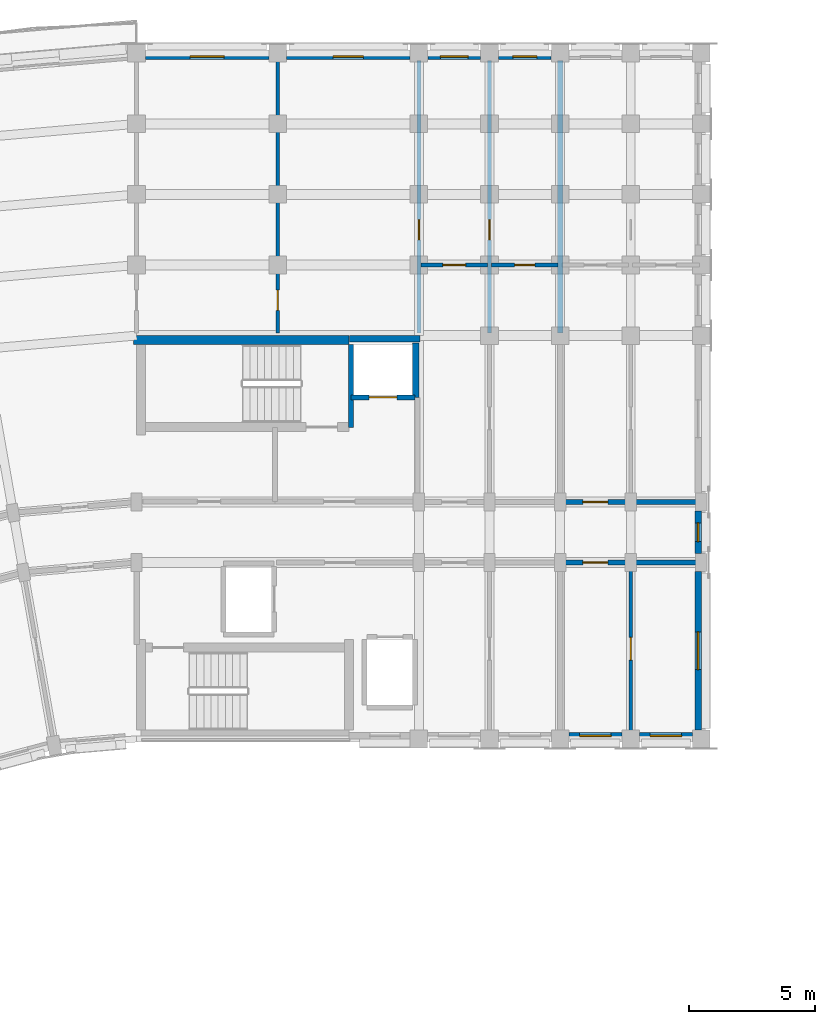
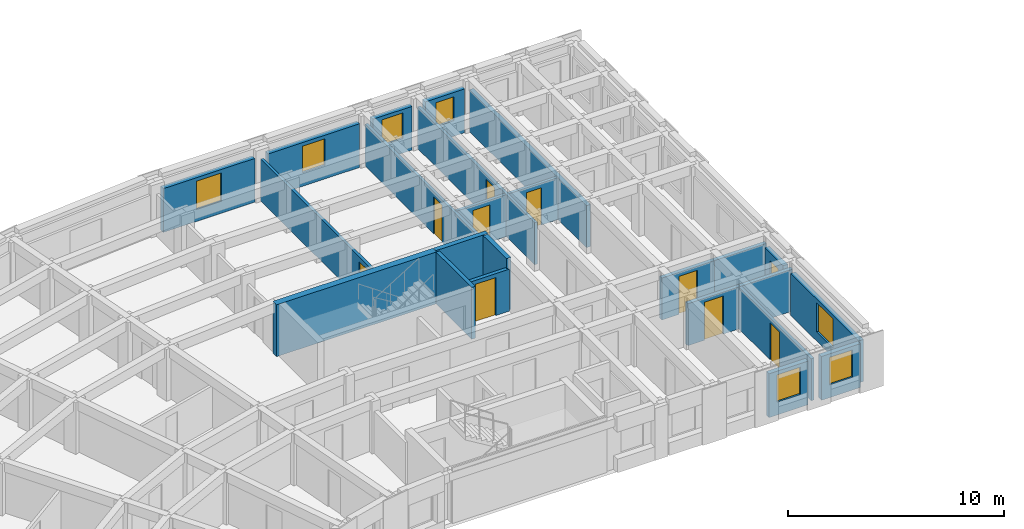
# One storey, part 29 of 57: 24 walls, 9 doors, 8 windows, 17 openings.
"""IFC4 building model written with IfcOpenShell, lengths in metres."""

from ifc_helpers import new_model, si_unit, direction, frame, frame_2d, origin, place, context, subcontext, project, spatial, rectangle, extrude, material, layer, layer_set, type_object, element, fill, save


model = new_model("IFC4")

# Units and contexts
model_context = context("Model", 3, precision=1e-05, world=origin(), true_north=direction((0.0, 1.0)))
body_context = subcontext(model_context, "Body", "Model", "MODEL_VIEW")
ifc_project = project(units=[si_unit("LENGTHUNIT", "METRE"), si_unit("AREAUNIT", "SQUARE_METRE"), si_unit("VOLUMEUNIT", "CUBIC_METRE"), si_unit("PLANEANGLEUNIT", "RADIAN"), si_unit("MASSUNIT", "GRAM", prefix="KILO")], contexts=[model_context])

# Site, building, storey
site_placement = place(None, origin())
site = spatial("IfcSite", under=ifc_project, at=site_placement, CompositionType="ELEMENT")
building_placement = place(site_placement, origin())
building = spatial("IfcBuilding", under=site, at=building_placement, Name="Kiranvali Square Residences", CompositionType="ELEMENT")
storey_placement = place(building_placement, frame((0.0, 0.0, 24.449951171875)))
storey = spatial("IfcBuildingStorey", under=building, at=storey_placement, Name="L07", CompositionType="ELEMENT", Elevation=24.449951171875)

# Wall, opening, door
ifc_material_1 = material(Name="Autoclaved aerated concrete blockwork masonry", Category="masonry")
ifc_layer_1 = layer(ifc_material_1, 0.199951171875)
ifc_layer_set_1 = layer_set([ifc_layer_1], Name="Autoclaved aerated concrete blockwork masonry")
wall_type_1 = type_object("IfcWallType", Name="WL-COR-200", PredefinedType="STANDARD", material=ifc_layer_set_1)
wall_1_placement = place(storey_placement, frame((65.0, 113.60009765625, 0.0), z_axis=(0.0, 0.0, 1.0), x_axis=(1.0, 0.0, 0.0)))
wall_1 = element("IfcWall", 1, at=wall_1_placement, inside=storey, type_object=wall_type_1, Name="L07 architectural wall WL-L07-A-A1CI-2", PredefinedType="STANDARD", context=body_context, shape_type="SweptSolid", body=[
    extrude(rectangle(XDim=2.800048828125, YDim=0.199951171875, at=frame_2d((1.39990234375, 0.0))), origin(), (0.0, 0.0, 1.0), 2.3720703125),
])
opening_1_placement = place(wall_1_placement, frame((0.89990234375, 0.0, 0.0)))
opening_1 = element("IfcOpeningElement", 2, at=opening_1_placement, cuts=wall_1, Name="Opening FD-APT-60", PredefinedType="OPENING", context=body_context, shape_type="SweptSolid", body=[
    extrude(rectangle(XDim=1.0, YDim=2.14990234375, at=frame_2d((0.5, 1.074951171875))), frame((0.0, 0.10986328125, 0.0), z_axis=(0.0, -1.0, 0.0), x_axis=(1.0, 0.0, 0.0)), (0.0, 0.0, 1.0), 0.219970703125),
])
ifc_material_2 = material(Name="Fire-rated acoustic hardwood and mineral-core door assembly", Category="wood")
door_type_1 = type_object("IfcDoorType", Name="DR-APT-1000", OperationType="NOTDEFINED", PredefinedType="DOOR", material=ifc_material_2)
door_1_placement = place(opening_1_placement, origin())
door_1 = element("IfcDoor", 3, at=door_1_placement, inside=storey, type_object=door_type_1, Name="L07 door DR-L07-0467 (DR-APT-1000)", OperationType="SINGLE_SWING_LEFT", OverallHeight=2.14990234375, OverallWidth=1.0, PredefinedType="DOOR", context=body_context, shape_type="SweptSolid", body=[
    extrude(rectangle(XDim=1.0, YDim=2.14990234375, at=frame_2d((0.5, 1.074951171875))), frame((0.0, 0.02490234375, 0.0), z_axis=(0.0, -1.0, 0.0), x_axis=(1.0, 0.0, 0.0)), (0.0, 0.0, 1.0), 0.050048828125),
])
fill(opening_1, door_1)

wall_2_placement = place(storey_placement, frame((65.0, 116.0, 0.0), z_axis=(0.0, 0.0, 1.0), x_axis=(1.0, 0.0, 0.0)))
wall_2 = element("IfcWall", 4, at=wall_2_placement, inside=storey, type_object=wall_type_1, Name="L07 architectural wall WL-L07-A-A1CO-2", PredefinedType="STANDARD", context=body_context, shape_type="SweptSolid", body=[
    extrude(rectangle(XDim=2.800048828125, YDim=0.199951171875, at=frame_2d((1.39990234375, 0.0))), origin(), (0.0, 0.0, 1.0), 2.3720703125),
])
opening_2_placement = place(wall_2_placement, frame((0.89990234375, 0.0, 0.0)))
opening_2 = element("IfcOpeningElement", 5, at=opening_2_placement, cuts=wall_2, Name="Opening FD-APT-60", PredefinedType="OPENING", context=body_context, shape_type="SweptSolid", body=[
    extrude(rectangle(XDim=1.0, YDim=2.14990234375, at=frame_2d((0.5, 1.074951171875))), frame((0.0, 0.10986328125, 0.0), z_axis=(0.0, -1.0, 0.0), x_axis=(1.0, 0.0, 0.0)), (0.0, 0.0, 1.0), 0.219970703125),
])
door_2_placement = place(opening_2_placement, origin())
door_2 = element("IfcDoor", 6, at=door_2_placement, inside=storey, type_object=door_type_1, Name="L07 door DR-L07-0469 (DR-APT-1000)", OperationType="SINGLE_SWING_LEFT", OverallHeight=2.14990234375, OverallWidth=1.0, PredefinedType="DOOR", context=body_context, shape_type="SweptSolid", body=[
    extrude(rectangle(XDim=1.0, YDim=2.14990234375, at=frame_2d((0.5, 1.074951171875))), frame((0.0, 0.02490234375, 0.0), z_axis=(0.0, -1.0, 0.0), x_axis=(1.0, 0.0, 0.0)), (0.0, 0.0, 1.0), 0.050048828125),
])
fill(opening_2, door_2)

# Walls
for number, where, z_axis, x_axis, name in (
    (7, (67.800048828125, 113.60009765625, 0.0), (0.0, 0.0, 1.0), (1.0, 0.0, 0.0), "L07 architectural wall WL-L07-A-A1CI-3"),
    (8, (67.800048828125, 116.0, 0.0), (0.0, 0.0, 1.0), (1.0, 0.0, 0.0), "L07 architectural wall WL-L07-A-A1CO-3"),
):
    element("IfcWall", number, at=place(storey_placement, frame(where, z_axis=z_axis, x_axis=x_axis)), inside=storey, type_object=wall_type_1, Name=name, PredefinedType="STANDARD", context=body_context, shape_type="SweptSolid", body=[
        extrude(rectangle(XDim=2.800048828125, YDim=0.199951171875, at=frame_2d((1.39990234375, 0.0))), origin(), (0.0, 0.0, 1.0), 2.3720703125),
    ])
ifc_layer_2 = layer(ifc_material_1, 0.219970703125)
ifc_layer_set_2 = layer_set([ifc_layer_2], Name="Autoclaved aerated concrete blockwork masonry")
wall_type_2 = type_object("IfcWallType", Name="WL-DEM-220", PredefinedType="STANDARD", material=ifc_layer_set_2)
wall_3_placement = place(storey_placement, frame((65.0, 122.699951171875, 0.0), z_axis=(0.0, 0.0, 1.0), x_axis=(0.0, 1.0, 0.0)))
element("IfcWall", 9, at=wall_3_placement, inside=storey, type_object=wall_type_2, Name="L07 architectural wall WL-L07-A-A1TO2-2", PredefinedType="STANDARD", context=body_context, shape_type="SweptSolid", body=[
    extrude(rectangle(XDim=10.820068359375, YDim=0.219970703125, at=frame_2d((5.41015625, 0.0))), origin(), (0.0, 0.0, 1.0), 2.3720703125),
])

# Wall, opening, window
ifc_material_3 = material(Name="Breathable lime-rendered clay brick masonry", Category="masonry")
ifc_layer_3 = layer(ifc_material_3, 0.25)
ifc_layer_set_3 = layer_set([ifc_layer_3], Name="Breathable lime-rendered clay brick masonry")
wall_type_3 = type_object("IfcWallType", Name="WL-EXT-250", PredefinedType="STANDARD", material=ifc_layer_set_3)
wall_4_placement = place(storey_placement, frame((48.553466796875, 133.675048828125, 0.0), z_axis=(0.0, 0.0, 1.0), x_axis=(1.0, 0.0, 0.0)))
wall_4 = element("IfcWall", 10, at=wall_4_placement, inside=storey, type_object=wall_type_3, Name="L07 exterior wall A-L07-A1O-0", PredefinedType="STANDARD", context=body_context, shape_type="SweptSolid", body=[
    extrude(rectangle(XDim=4.89306640625, YDim=0.25, at=frame_2d((2.446533203125, 0.0))), origin(), (0.0, 0.0, 1.0), 2.47216796875),
])
opening_3_placement = place(wall_4_placement, frame((1.771484375, 0.0, 0.672119140625)))
opening_3 = element("IfcOpeningElement", 11, at=opening_3_placement, cuts=wall_4, Name="Opening W-14", PredefinedType="OPENING", context=body_context, shape_type="SweptSolid", body=[
    extrude(rectangle(XDim=1.35009765625, YDim=1.60009765625, at=frame_2d((0.675048828125, 0.800048828125))), frame((0.0, 0.135009765625, 0.0), z_axis=(0.0, -1.0, 0.0), x_axis=(1.0, 0.0, 0.0)), (0.0, 0.0, 1.0), 0.27001953125),
])
ifc_material_4 = material(Name="Solar-control low-e double glazing", Category="glass")
window_type_1 = type_object("IfcWindowType", Name="WIN-RES-1350x1600", PartitioningType="DOUBLE_PANEL_VERTICAL", PredefinedType="WINDOW", material=ifc_material_4)
window_1_placement = place(opening_3_placement, origin())
window_1 = element("IfcWindow", 12, at=window_1_placement, inside=storey, type_object=window_type_1, Name="L07 recessed window A-L07-A1O-0", OverallHeight=1.60009765625, OverallWidth=1.35009765625, PartitioningType="DOUBLE_PANEL_VERTICAL", PredefinedType="WINDOW", context=body_context, shape_type="SweptSolid", body=[
    extrude(rectangle(XDim=1.35009765625, YDim=1.60009765625, at=frame_2d((0.675048828125, 0.800048828125))), frame((0.0, 0.030029296875, 0.0), z_axis=(0.0, -1.0, 0.0), x_axis=(1.0, 0.0, 0.0)), (0.0, 0.0, 1.0), 0.06005859375),
])
fill(opening_3, window_1)

wall_5_placement = place(storey_placement, frame((54.153564453125, 133.675048828125, 0.0), z_axis=(0.0, 0.0, 1.0), x_axis=(1.0, 0.0, 0.0)))
wall_5 = element("IfcWall", 13, at=wall_5_placement, inside=storey, type_object=wall_type_3, Name="L07 exterior wall A-L07-A1O-1", PredefinedType="STANDARD", context=body_context, shape_type="SweptSolid", body=[
    extrude(rectangle(XDim=4.892822265625, YDim=0.25, at=frame_2d((2.4462890625, 0.0))), origin(), (0.0, 0.0, 1.0), 2.47216796875),
])
opening_4_placement = place(wall_5_placement, frame((1.846435546875, 0.0, 0.77197265625)))
opening_4 = element("IfcOpeningElement", 14, at=opening_4_placement, cuts=wall_5, Name="Opening W-06", PredefinedType="OPENING", context=body_context, shape_type="SweptSolid", body=[
    extrude(rectangle(XDim=1.199951171875, YDim=1.5, at=frame_2d((0.60009765625, 0.75))), frame((0.0, 0.135009765625, 0.0), z_axis=(0.0, -1.0, 0.0), x_axis=(1.0, 0.0, 0.0)), (0.0, 0.0, 1.0), 0.27001953125),
])
window_type_2 = type_object("IfcWindowType", Name="WIN-RES-1200x1500", PartitioningType="SINGLE_PANEL", PredefinedType="WINDOW", material=ifc_material_4)
window_2_placement = place(opening_4_placement, origin())
window_2 = element("IfcWindow", 15, at=window_2_placement, inside=storey, type_object=window_type_2, Name="L07 recessed window A-L07-A1O-1", OverallHeight=1.5, OverallWidth=1.199951171875, PartitioningType="SINGLE_PANEL", PredefinedType="WINDOW", context=body_context, shape_type="SweptSolid", body=[
    extrude(rectangle(XDim=1.199951171875, YDim=1.5, at=frame_2d((0.60009765625, 0.75))), frame((0.0, 0.030029296875, 0.0), z_axis=(0.0, -1.0, 0.0), x_axis=(1.0, 0.0, 0.0)), (0.0, 0.0, 1.0), 0.06005859375),
])
fill(opening_4, window_2)

wall_6_placement = place(storey_placement, frame((59.75341796875, 133.675048828125, 0.0), z_axis=(0.0, 0.0, 1.0), x_axis=(1.0, 0.0, 0.0)))
wall_6 = element("IfcWall", 16, at=wall_6_placement, inside=storey, type_object=wall_type_3, Name="L07 exterior wall A-L07-A1O-2", PredefinedType="STANDARD", context=body_context, shape_type="SweptSolid", body=[
    extrude(rectangle(XDim=2.093017578125, YDim=0.25, at=frame_2d((1.04638671875, 0.0))), origin(), (0.0, 0.0, 1.0), 2.47216796875),
])
opening_5_placement = place(wall_6_placement, frame((0.49658203125, 0.0, 0.822021484375)))
opening_5 = element("IfcOpeningElement", 17, at=opening_5_placement, cuts=wall_6, Name="Opening W-15", PredefinedType="OPENING", context=body_context, shape_type="SweptSolid", body=[
    extrude(rectangle(XDim=1.10009765625, YDim=1.449951171875, at=frame_2d((0.550048828125, 0.72509765625))), frame((0.0, 0.135009765625, 0.0), z_axis=(0.0, -1.0, 0.0), x_axis=(1.0, 0.0, 0.0)), (0.0, 0.0, 1.0), 0.27001953125),
])
window_type_3 = type_object("IfcWindowType", Name="WIN-RES-1100x1450", PartitioningType="SINGLE_PANEL", PredefinedType="WINDOW", material=ifc_material_4)
window_3_placement = place(opening_5_placement, origin())
window_3 = element("IfcWindow", 18, at=window_3_placement, inside=storey, type_object=window_type_3, Name="L07 recessed window A-L07-A1O-2", OverallHeight=1.449951171875, OverallWidth=1.10009765625, PartitioningType="SINGLE_PANEL", PredefinedType="WINDOW", context=body_context, shape_type="SweptSolid", body=[
    extrude(rectangle(XDim=1.10009765625, YDim=1.449951171875, at=frame_2d((0.550048828125, 0.72509765625))), frame((0.0, 0.030029296875, 0.0), z_axis=(0.0, -1.0, 0.0), x_axis=(1.0, 0.0, 0.0)), (0.0, 0.0, 1.0), 0.06005859375),
])
fill(opening_5, window_3)

wall_7_placement = place(storey_placement, frame((62.553466796875, 133.675048828125, 0.0), z_axis=(0.0, 0.0, 1.0), x_axis=(1.0, 0.0, 0.0)))
wall_7 = element("IfcWall", 19, at=wall_7_placement, inside=storey, type_object=wall_type_3, Name="L07 exterior wall A-L07-A1O-3", PredefinedType="STANDARD", context=body_context, shape_type="SweptSolid", body=[
    extrude(rectangle(XDim=2.093017578125, YDim=0.25, at=frame_2d((1.04638671875, 0.0))), origin(), (0.0, 0.0, 1.0), 2.47216796875),
])
opening_6_placement = place(wall_7_placement, frame((0.571533203125, 0.0, 0.8798828125)))
opening_6 = element("IfcOpeningElement", 20, at=opening_6_placement, cuts=wall_7, Name="Opening W-16", PredefinedType="OPENING", context=body_context, shape_type="SweptSolid", body=[
    extrude(rectangle(XDim=0.949951171875, YDim=1.35009765625, at=frame_2d((0.47509765625, 0.675048828125))), frame((0.0, 0.135009765625, 0.0), z_axis=(0.0, -1.0, 0.0), x_axis=(1.0, 0.0, 0.0)), (0.0, 0.0, 1.0), 0.27001953125),
])
window_type_4 = type_object("IfcWindowType", Name="WIN-RES-950x1350", PartitioningType="SINGLE_PANEL", PredefinedType="WINDOW", material=ifc_material_4)
window_4_placement = place(opening_6_placement, origin())
window_4 = element("IfcWindow", 21, at=window_4_placement, inside=storey, type_object=window_type_4, Name="L07 recessed window A-L07-A1O-3", OverallHeight=1.35009765625, OverallWidth=0.949951171875, PartitioningType="SINGLE_PANEL", PredefinedType="WINDOW", context=body_context, shape_type="SweptSolid", body=[
    extrude(rectangle(XDim=0.949951171875, YDim=1.35009765625, at=frame_2d((0.47509765625, 0.675048828125))), frame((0.0, 0.030029296875, 0.0), z_axis=(0.0, -1.0, 0.0), x_axis=(1.0, 0.0, 0.0)), (0.0, 0.0, 1.0), 0.06005859375),
])
fill(opening_6, window_4)

wall_8_placement = place(storey_placement, frame((65.353515625, 106.72509765625, 0.0), z_axis=(0.0, 0.0, 1.0), x_axis=(1.0, 0.0, 0.0)))
wall_8 = element("IfcWall", 22, at=wall_8_placement, inside=storey, type_object=wall_type_3, Name="L07 exterior wall A-L07-A1I-2", PredefinedType="STANDARD", context=body_context, shape_type="SweptSolid", body=[
    extrude(rectangle(XDim=2.093017578125, YDim=0.25, at=frame_2d((1.04638671875, 0.0))), origin(), (0.0, 0.0, 1.0), 2.47216796875),
])
opening_7_placement = place(wall_8_placement, frame((0.42138671875, 0.0, 0.721923828125)))
opening_7 = element("IfcOpeningElement", 23, at=opening_7_placement, cuts=wall_8, Name="Opening W-19", PredefinedType="OPENING", context=body_context, shape_type="SweptSolid", body=[
    extrude(rectangle(XDim=1.25, YDim=1.550048828125, at=frame_2d((0.625, 0.77490234375))), frame((0.0, 0.135009765625, 0.0), z_axis=(0.0, -1.0, 0.0), x_axis=(1.0, 0.0, 0.0)), (0.0, 0.0, 1.0), 0.27001953125),
])
window_type_5 = type_object("IfcWindowType", Name="WIN-GDN-1250x1550", PartitioningType="SINGLE_PANEL", PredefinedType="WINDOW", material=ifc_material_4)
window_5_placement = place(opening_7_placement, origin())
window_5 = element("IfcWindow", 24, at=window_5_placement, inside=storey, type_object=window_type_5, Name="L07 recessed window A-L07-A1I-2", OverallHeight=1.550048828125, OverallWidth=1.25, PartitioningType="SINGLE_PANEL", PredefinedType="WINDOW", context=body_context, shape_type="SweptSolid", body=[
    extrude(rectangle(XDim=1.25, YDim=1.550048828125, at=frame_2d((0.625, 0.77490234375))), frame((0.0, 0.030029296875, 0.0), z_axis=(0.0, -1.0, 0.0), x_axis=(1.0, 0.0, 0.0)), (0.0, 0.0, 1.0), 0.06005859375),
])
fill(opening_7, window_5)

wall_9_placement = place(storey_placement, frame((68.153564453125, 106.72509765625, 0.0), z_axis=(0.0, 0.0, 1.0), x_axis=(1.0, 0.0, 0.0)))
wall_9 = element("IfcWall", 25, at=wall_9_placement, inside=storey, type_object=wall_type_3, Name="L07 exterior wall A-L07-A1I-3", PredefinedType="STANDARD", context=body_context, shape_type="SweptSolid", body=[
    extrude(rectangle(XDim=2.093017578125, YDim=0.25, at=frame_2d((1.04638671875, 0.0))), origin(), (0.0, 0.0, 1.0), 2.47216796875),
])
opening_8_placement = place(wall_9_placement, frame((0.42138671875, 0.0, 0.721923828125)))
opening_8 = element("IfcOpeningElement", 26, at=opening_8_placement, cuts=wall_9, Name="Opening W-19", PredefinedType="OPENING", context=body_context, shape_type="SweptSolid", body=[
    extrude(rectangle(XDim=1.25, YDim=1.550048828125, at=frame_2d((0.625, 0.77490234375))), frame((0.0, 0.135009765625, 0.0), z_axis=(0.0, -1.0, 0.0), x_axis=(1.0, 0.0, 0.0)), (0.0, 0.0, 1.0), 0.27001953125),
])
window_6_placement = place(opening_8_placement, origin())
window_6 = element("IfcWindow", 27, at=window_6_placement, inside=storey, type_object=window_type_5, Name="L07 recessed window A-L07-A1I-3", OverallHeight=1.550048828125, OverallWidth=1.25, PartitioningType="SINGLE_PANEL", PredefinedType="WINDOW", context=body_context, shape_type="SweptSolid", body=[
    extrude(rectangle(XDim=1.25, YDim=1.550048828125, at=frame_2d((0.625, 0.77490234375))), frame((0.0, 0.030029296875, 0.0), z_axis=(0.0, -1.0, 0.0), x_axis=(1.0, 0.0, 0.0)), (0.0, 0.0, 1.0), 0.06005859375),
])
fill(opening_8, window_6)

wall_10_placement = place(storey_placement, frame((70.47509765625, 106.95361328125, 0.0), z_axis=(0.0, 0.0, 1.0), x_axis=(0.0, 1.0, 0.0)))
wall_10 = element("IfcWall", 28, at=wall_10_placement, inside=storey, type_object=wall_type_3, Name="L07 exterior wall A-L07-A1END-0", PredefinedType="STANDARD", context=body_context, shape_type="SweptSolid", body=[
    extrude(rectangle(XDim=6.29296875, YDim=0.25, at=frame_2d((3.146484375, 0.0))), origin(), (0.0, 0.0, 1.0), 2.3720703125),
])
opening_9_placement = place(wall_10_placement, frame((2.396484375, 0.0, 0.52197265625)))
opening_9 = element("IfcOpeningElement", 29, at=opening_9_placement, cuts=wall_10, Name="Opening W-05", PredefinedType="OPENING", context=body_context, shape_type="SweptSolid", body=[
    extrude(rectangle(XDim=1.5, YDim=1.64990234375, at=frame_2d((0.75, 0.824951171875))), frame((0.0, 0.135009765625, 0.0), z_axis=(0.0, -1.0, 0.0), x_axis=(1.0, 0.0, 0.0)), (0.0, 0.0, 1.0), 0.27001953125),
])
window_type_6 = type_object("IfcWindowType", Name="WIN-RES-1500x1650", PartitioningType="DOUBLE_PANEL_VERTICAL", PredefinedType="WINDOW", material=ifc_material_4)
window_7_placement = place(opening_9_placement, origin())
window_7 = element("IfcWindow", 30, at=window_7_placement, inside=storey, type_object=window_type_6, Name="L07 recessed window A-L07-A1END-0", OverallHeight=1.64990234375, OverallWidth=1.5, PartitioningType="DOUBLE_PANEL_VERTICAL", PredefinedType="WINDOW", context=body_context, shape_type="SweptSolid", body=[
    extrude(rectangle(XDim=1.5, YDim=1.64990234375, at=frame_2d((0.75, 0.824951171875))), frame((0.0, 0.030029296875, 0.0), z_axis=(0.0, -1.0, 0.0), x_axis=(1.0, 0.0, 0.0)), (0.0, 0.0, 1.0), 0.06005859375),
])
fill(opening_9, window_7)

wall_11_placement = place(storey_placement, frame((70.47509765625, 113.95361328125, 0.0), z_axis=(0.0, 0.0, 1.0), x_axis=(0.0, 1.0, 0.0)))
wall_11 = element("IfcWall", 31, at=wall_11_placement, inside=storey, type_object=wall_type_3, Name="L07 exterior wall A-L07-A1END-1", PredefinedType="STANDARD", context=body_context, shape_type="SweptSolid", body=[
    extrude(rectangle(XDim=1.69287109375, YDim=0.25, at=frame_2d((0.846435546875, 0.0))), origin(), (0.0, 0.0, 1.0), 2.3720703125),
])
opening_10_placement = place(wall_11_placement, frame((0.471435546875, 0.0, 0.8798828125)))
opening_10 = element("IfcOpeningElement", 32, at=opening_10_placement, cuts=wall_11, Name="Opening W-07", PredefinedType="OPENING", context=body_context, shape_type="SweptSolid", body=[
    extrude(rectangle(XDim=0.75, YDim=1.050048828125, at=frame_2d((0.375, 0.52490234375))), frame((0.0, 0.135009765625, 0.0), z_axis=(0.0, -1.0, 0.0), x_axis=(1.0, 0.0, 0.0)), (0.0, 0.0, 1.0), 0.27001953125),
])
window_type_7 = type_object("IfcWindowType", Name="WIN-WET-750x1050", PartitioningType="SINGLE_PANEL", PredefinedType="WINDOW", material=ifc_material_4)
window_8_placement = place(opening_10_placement, origin())
window_8 = element("IfcWindow", 33, at=window_8_placement, inside=storey, type_object=window_type_7, Name="L07 recessed window A-L07-A1END-1", OverallHeight=1.050048828125, OverallWidth=0.75, PartitioningType="SINGLE_PANEL", PredefinedType="WINDOW", context=body_context, shape_type="SweptSolid", body=[
    extrude(rectangle(XDim=0.75, YDim=1.050048828125, at=frame_2d((0.375, 0.52490234375))), frame((0.0, 0.030029296875, 0.0), z_axis=(0.0, -1.0, 0.0), x_axis=(1.0, 0.0, 0.0)), (0.0, 0.0, 1.0), 0.06005859375),
])
fill(opening_10, window_8)

# Wall, opening, door
ifc_layer_4 = layer(ifc_material_1, 0.199951171875)
ifc_layer_set_4 = layer_set([ifc_layer_4], Name="Autoclaved aerated concrete blockwork masonry")
wall_type_4 = type_object("IfcWallType", Name="WL-FFL-200", PredefinedType="STANDARD", material=ifc_layer_set_4)
wall_12_placement = place(storey_placement, frame((56.699951171875, 120.14990234375, 0.0), z_axis=(0.0, 0.0, 1.0), x_axis=(1.0, 0.0, 0.0)))
wall_12 = element("IfcWall", 34, at=wall_12_placement, inside=storey, type_object=wall_type_4, Name="L07 architectural wall WL-L07-A-FF-LFT", PredefinedType="STANDARD", context=body_context, shape_type="SweptSolid", body=[
    extrude(rectangle(XDim=2.550048828125, YDim=0.199951171875, at=frame_2d((1.27490234375, 0.0))), origin(), (0.0, 0.0, 1.0), 2.3720703125),
])
opening_11_placement = place(wall_12_placement, frame((0.72509765625, 0.0, 0.0)))
opening_11 = element("IfcOpeningElement", 35, at=opening_11_placement, cuts=wall_12, Name="Opening LD-FF-110", PredefinedType="OPENING", context=body_context, shape_type="SweptSolid", body=[
    extrude(rectangle(XDim=1.10009765625, YDim=2.14990234375, at=frame_2d((0.550048828125, 1.074951171875))), frame((0.0, 0.10986328125, 0.0), z_axis=(0.0, -1.0, 0.0), x_axis=(1.0, 0.0, 0.0)), (0.0, 0.0, 1.0), 0.219970703125),
])
door_type_2 = type_object("IfcDoorType", Name="DR-LIFT-FF-1100", OperationType="SLIDING_TO_LEFT", PredefinedType="DOOR", material=ifc_material_2)
door_3_placement = place(opening_11_placement, origin())
door_3 = element("IfcDoor", 36, at=door_3_placement, inside=storey, type_object=door_type_2, Name="L07 door DR-L07-0453 (DR-LIFT-FF-1100)", OperationType="SLIDING_TO_LEFT", OverallHeight=2.14990234375, OverallWidth=1.10009765625, PredefinedType="DOOR", context=body_context, shape_type="SweptSolid", body=[
    extrude(rectangle(XDim=1.10009765625, YDim=2.14990234375, at=frame_2d((0.550048828125, 1.074951171875))), frame((0.0, 0.02490234375, 0.0), z_axis=(0.0, -1.0, 0.0), x_axis=(1.0, 0.0, 0.0)), (0.0, 0.0, 1.0), 0.050048828125),
])
fill(opening_11, door_3)

ifc_material_5 = material(Name="Acoustic gypsum board drylined partition", Category="gypsum")
ifc_layer_5 = layer(ifc_material_5, 0.14990234375)
ifc_layer_set_5 = layer_set([ifc_layer_5], Name="Acoustic gypsum board drylined partition")
wall_type_5 = type_object("IfcWallType", Name="WL-PRT-150", PredefinedType="PARTITIONING", material=ifc_layer_set_5)
wall_13_placement = place(storey_placement, frame((53.800048828125, 122.699951171875, 0.0), z_axis=(0.0, 0.0, 1.0), x_axis=(0.0, 1.0, 0.0)))
wall_13 = element("IfcWall", 37, at=wall_13_placement, inside=storey, type_object=wall_type_5, Name="L07 architectural wall WL-L07-A-CF-MID", PredefinedType="PARTITIONING", context=body_context, shape_type="SweptSolid", body=[
    extrude(rectangle(XDim=10.820068359375, YDim=0.14990234375, at=frame_2d((5.41015625, 0.0))), origin(), (0.0, 0.0, 1.0), 2.3720703125),
])
opening_12_placement = place(wall_13_placement, frame((0.8994140625, 0.0, 0.0)))
opening_12 = element("IfcOpeningElement", 38, at=opening_12_placement, cuts=wall_13, Name="Opening ID-WET", PredefinedType="OPENING", context=body_context, shape_type="SweptSolid", body=[
    extrude(rectangle(XDim=0.800048828125, YDim=2.10009765625, at=frame_2d((0.39990234375, 1.050048828125))), frame((0.0, 0.0849609375, 0.0), z_axis=(0.0, -1.0, 0.0), x_axis=(1.0, 0.0, 0.0)), (0.0, 0.0, 1.0), 0.169921875),
])
ifc_material_6 = material(Name="Solid seasoned teak hardwood joinery", Category="wood")
door_type_3 = type_object("IfcDoorType", Name="DR-WET-800", OperationType="NOTDEFINED", PredefinedType="DOOR", material=ifc_material_6)
door_4_placement = place(opening_12_placement, frame((0.800048828125, 0.0, 0.0), z_axis=(0.0, 0.0, 1.0), x_axis=(-1.0, 0.0, 0.0)))
door_4 = element("IfcDoor", 39, at=door_4_placement, inside=storey, type_object=door_type_3, Name="L07 door DR-L07-0462 (DR-WET-800)", OperationType="SINGLE_SWING_RIGHT", OverallHeight=2.10009765625, OverallWidth=0.800048828125, PredefinedType="DOOR", context=body_context, shape_type="SweptSolid", body=[
    extrude(rectangle(XDim=0.800048828125, YDim=2.10009765625, at=frame_2d((0.39990234375, 1.050048828125))), frame((0.0, 0.02490234375, 0.0), z_axis=(0.0, -1.0, 0.0), x_axis=(1.0, 0.0, 0.0)), (0.0, 0.0, 1.0), 0.050048828125),
])
fill(opening_12, door_4)

wall_14_placement = place(storey_placement, frame((59.39990234375, 122.699951171875, 0.0), z_axis=(0.0, 0.0, 1.0), x_axis=(0.0, 1.0, 0.0)))
wall_14 = element("IfcWall", 40, at=wall_14_placement, inside=storey, type_object=wall_type_5, Name="L07 architectural wall WL-L07-A-A1TO2-0", PredefinedType="PARTITIONING", context=body_context, shape_type="SweptSolid", body=[
    extrude(rectangle(XDim=10.820068359375, YDim=0.14990234375, at=frame_2d((5.41015625, 0.0))), origin(), (0.0, 0.0, 1.0), 2.3720703125),
])
opening_13_placement = place(wall_14_placement, frame((3.69970703125, 0.0, 0.0)))
opening_13 = element("IfcOpeningElement", 41, at=opening_13_placement, cuts=wall_14, Name="Opening ID-WET", PredefinedType="OPENING", context=body_context, shape_type="SweptSolid", body=[
    extrude(rectangle(XDim=0.800048828125, YDim=2.10009765625, at=frame_2d((0.39990234375, 1.050048828125))), frame((0.0, 0.0849609375, 0.0), z_axis=(0.0, -1.0, 0.0), x_axis=(1.0, 0.0, 0.0)), (0.0, 0.0, 1.0), 0.169921875),
])
door_5_placement = place(opening_13_placement, origin())
door_5 = element("IfcDoor", 42, at=door_5_placement, inside=storey, type_object=door_type_3, Name="L07 door DR-L07-0471 (DR-WET-800)", OperationType="SINGLE_SWING_LEFT", OverallHeight=2.10009765625, OverallWidth=0.800048828125, PredefinedType="DOOR", context=body_context, shape_type="SweptSolid", body=[
    extrude(rectangle(XDim=0.800048828125, YDim=2.10009765625, at=frame_2d((0.39990234375, 1.050048828125))), frame((0.0, 0.02490234375, 0.0), z_axis=(0.0, -1.0, 0.0), x_axis=(1.0, 0.0, 0.0)), (0.0, 0.0, 1.0), 0.050048828125),
])
fill(opening_13, door_5)

wall_15_placement = place(storey_placement, frame((62.199951171875, 122.699951171875, 0.0), z_axis=(0.0, 0.0, 1.0), x_axis=(0.0, 1.0, 0.0)))
wall_15 = element("IfcWall", 43, at=wall_15_placement, inside=storey, type_object=wall_type_5, Name="L07 architectural wall WL-L07-A-A1TO2-1", PredefinedType="PARTITIONING", context=body_context, shape_type="SweptSolid", body=[
    extrude(rectangle(XDim=10.820068359375, YDim=0.14990234375, at=frame_2d((5.41015625, 0.0))), origin(), (0.0, 0.0, 1.0), 2.3720703125),
])
opening_14_placement = place(wall_15_placement, frame((3.69970703125, 0.0, 0.0)))
opening_14 = element("IfcOpeningElement", 44, at=opening_14_placement, cuts=wall_15, Name="Opening ID-WET", PredefinedType="OPENING", context=body_context, shape_type="SweptSolid", body=[
    extrude(rectangle(XDim=0.800048828125, YDim=2.10009765625, at=frame_2d((0.39990234375, 1.050048828125))), frame((0.0, 0.0849609375, 0.0), z_axis=(0.0, -1.0, 0.0), x_axis=(1.0, 0.0, 0.0)), (0.0, 0.0, 1.0), 0.169921875),
])
door_6_placement = place(opening_14_placement, frame((0.800048828125, 0.0, 0.0), z_axis=(0.0, 0.0, 1.0), x_axis=(-1.0, 0.0, 0.0)))
door_6 = element("IfcDoor", 45, at=door_6_placement, inside=storey, type_object=door_type_3, Name="L07 door DR-L07-0474 (DR-WET-800)", OperationType="SINGLE_SWING_RIGHT", OverallHeight=2.10009765625, OverallWidth=0.800048828125, PredefinedType="DOOR", context=body_context, shape_type="SweptSolid", body=[
    extrude(rectangle(XDim=0.800048828125, YDim=2.10009765625, at=frame_2d((0.39990234375, 1.050048828125))), frame((0.0, 0.02490234375, 0.0), z_axis=(0.0, -1.0, 0.0), x_axis=(1.0, 0.0, 0.0)), (0.0, 0.0, 1.0), 0.050048828125),
])
fill(opening_14, door_6)

wall_16_placement = place(storey_placement, frame((67.800048828125, 106.800048828125, 0.0), z_axis=(0.0, 0.0, 1.0), x_axis=(0.0, 1.0, 0.0)))
wall_16 = element("IfcWall", 46, at=wall_16_placement, inside=storey, type_object=wall_type_5, Name="L07 architectural wall WL-L07-A-A1TI-3", PredefinedType="PARTITIONING", context=body_context, shape_type="SweptSolid", body=[
    extrude(rectangle(XDim=6.75, YDim=0.14990234375, at=frame_2d((3.375, 0.0))), origin(), (0.0, 0.0, 1.0), 2.3720703125),
])
opening_15_placement = place(wall_16_placement, frame((2.925048828125, 0.0, 0.0)))
opening_15 = element("IfcOpeningElement", 47, at=opening_15_placement, cuts=wall_16, Name="Opening ID-1", PredefinedType="OPENING", context=body_context, shape_type="SweptSolid", body=[
    extrude(rectangle(XDim=0.89990234375, YDim=2.10009765625, at=frame_2d((0.449951171875, 1.050048828125))), frame((0.0, 0.0849609375, 0.0), z_axis=(0.0, -1.0, 0.0), x_axis=(1.0, 0.0, 0.0)), (0.0, 0.0, 1.0), 0.169921875),
])
door_type_4 = type_object("IfcDoorType", Name="DR-INT-900", OperationType="NOTDEFINED", PredefinedType="DOOR", material=ifc_material_6)
door_7_placement = place(opening_15_placement, origin())
door_7 = element("IfcDoor", 48, at=door_7_placement, inside=storey, type_object=door_type_4, Name="L07 door DR-L07-0475 (DR-INT-900)", OperationType="SINGLE_SWING_LEFT", OverallHeight=2.10009765625, OverallWidth=0.89990234375, PredefinedType="DOOR", context=body_context, shape_type="SweptSolid", body=[
    extrude(rectangle(XDim=0.89990234375, YDim=2.10009765625, at=frame_2d((0.449951171875, 1.050048828125))), frame((0.0, 0.02490234375, 0.0), z_axis=(0.0, -1.0, 0.0), x_axis=(1.0, 0.0, 0.0)), (0.0, 0.0, 1.0), 0.050048828125),
])
fill(opening_15, door_7)

# Walls
ifc_layer_6 = layer(ifc_material_1, 0.199951171875)
ifc_layer_set_6 = layer_set([ifc_layer_6], Name="Autoclaved aerated concrete blockwork masonry")
wall_type_6 = type_object("IfcWallType", Name="WL-SHF-200", PredefinedType="STANDARD", material=ifc_layer_set_6)
wall_17_placement = place(storey_placement, frame((56.699951171875, 118.949951171875, 0.0), z_axis=(0.0, 0.0, 1.0), x_axis=(0.0, 1.0, 0.0)))
element("IfcWall", 49, at=wall_17_placement, inside=storey, type_object=wall_type_6, Name="L07 architectural wall WL-L07-A-FF-SHF", PredefinedType="STANDARD", context=body_context, shape_type="SweptSolid", body=[
    extrude(rectangle(XDim=3.300048828125, YDim=0.199951171875, at=frame_2d((1.64990234375, 0.0))), origin(), (0.0, 0.0, 1.0), 2.929931640625),
])
ifc_material_7 = material(Name="Concrete M45 (45 MPa)", Category="concrete")
ifc_layer_7 = layer(ifc_material_7, 0.25)
ifc_layer_set_7 = layer_set([ifc_layer_7], Name="Concrete M45 (45 MPa)")
wall_type_7 = type_object("IfcWallType", Name="WL-SHR-250", PredefinedType="SHEAR", material=ifc_layer_set_7)
wall_18_placement = place(storey_placement, frame((56.64990234375, 122.47509765625, 0.0), z_axis=(0.0, 0.0, 1.0), x_axis=(1.0, 0.0, 0.0)))
element("IfcWall", 50, at=wall_18_placement, inside=storey, type_object=wall_type_7, Name="Block A core shear wall SW-AFF-BK-L07", PredefinedType="SHEAR", context=body_context, shape_type="SweptSolid", body=[
    extrude(rectangle(XDim=2.800048828125, YDim=0.25, at=frame_2d((1.39990234375, 0.0))), origin(), (0.0, 0.0, 1.0), 2.929931640625),
])
wall_19_placement = place(storey_placement, frame((59.27490234375, 120.14990234375, 0.0), z_axis=(0.0, 0.0, 1.0), x_axis=(0.0, 1.0, 0.0)))
element("IfcWall", 51, at=wall_19_placement, inside=storey, type_object=wall_type_7, Name="Block A core shear wall SW-AFF-SD-L07", PredefinedType="SHEAR", context=body_context, shape_type="SweptSolid", body=[
    extrude(rectangle(XDim=2.150146484375, YDim=0.25, at=frame_2d((1.0751953125, 0.0))), origin(), (0.0, 0.0, 1.0), 2.929931640625),
])
ifc_layer_8 = layer(ifc_material_7, 0.320068359375)
ifc_layer_set_8 = layer_set([ifc_layer_8], Name="Concrete M45 (45 MPa)")
wall_type_8 = type_object("IfcWallType", Name="WL-SHR-320", PredefinedType="SHEAR", material=ifc_layer_set_8)
wall_20_placement = place(storey_placement, frame((48.080078125, 122.425048828125, 0.0), z_axis=(0.0, 0.0, 1.0), x_axis=(1.0, 0.0, 0.0)))
element("IfcWall", 52, at=wall_20_placement, inside=storey, type_object=wall_type_8, Name="Block A core shear wall SW-A1-OUT-L07", PredefinedType="SHEAR", context=body_context, shape_type="SweptSolid", body=[
    extrude(rectangle(XDim=8.544921875, YDim=0.35009765625, at=frame_2d((4.2724609375, 0.0))), origin(), (0.0, 0.0, 1.0), 2.929931640625),
])

# Wall, opening, door
ifc_layer_9 = layer(ifc_material_1, 0.14990234375)
ifc_layer_set_9 = layer_set([ifc_layer_9], Name="Autoclaved aerated concrete blockwork masonry")
wall_type_9 = type_object("IfcWallType", Name="WL-WET-150", PredefinedType="PLUMBINGWALL", material=ifc_layer_set_9)
wall_21_placement = place(storey_placement, frame((59.47998046875, 125.39990234375, 0.0), z_axis=(0.0, 0.0, 1.0), x_axis=(1.0, 0.0, 0.0)))
wall_21 = element("IfcWall", 53, at=wall_21_placement, inside=storey, type_object=wall_type_9, Name="L07 architectural wall WL-L07-A-A1SP-0", PredefinedType="PLUMBINGWALL", context=body_context, shape_type="SweptSolid", body=[
    extrude(rectangle(XDim=2.64013671875, YDim=0.14990234375, at=frame_2d((1.320068359375, 0.0))), origin(), (0.0, 0.0, 1.0), 2.3720703125),
])
opening_16_placement = place(wall_21_placement, frame((0.8701171875, 0.0, 0.0)))
opening_16 = element("IfcOpeningElement", 54, at=opening_16_placement, cuts=wall_21, Name="Opening ID-1", PredefinedType="OPENING", context=body_context, shape_type="SweptSolid", body=[
    extrude(rectangle(XDim=0.89990234375, YDim=2.10009765625, at=frame_2d((0.449951171875, 1.050048828125))), frame((0.0, 0.0849609375, 0.0), z_axis=(0.0, -1.0, 0.0), x_axis=(1.0, 0.0, 0.0)), (0.0, 0.0, 1.0), 0.169921875),
])
door_8_placement = place(opening_16_placement, frame((0.89990234375, 0.0, 0.0), z_axis=(0.0, 0.0, 1.0), x_axis=(-1.0, 0.0, 0.0)))
door_8 = element("IfcDoor", 55, at=door_8_placement, inside=storey, type_object=door_type_4, Name="L07 door DR-L07-0464 (DR-INT-900)", OperationType="SINGLE_SWING_RIGHT", OverallHeight=2.10009765625, OverallWidth=0.89990234375, PredefinedType="DOOR", context=body_context, shape_type="SweptSolid", body=[
    extrude(rectangle(XDim=0.89990234375, YDim=2.10009765625, at=frame_2d((0.449951171875, 1.050048828125))), frame((0.0, 0.02490234375, 0.0), z_axis=(0.0, -1.0, 0.0), x_axis=(1.0, 0.0, 0.0)), (0.0, 0.0, 1.0), 0.050048828125),
])
fill(opening_16, door_8)

wall_22_placement = place(storey_placement, frame((62.280029296875, 125.39990234375, 0.0), z_axis=(0.0, 0.0, 1.0), x_axis=(1.0, 0.0, 0.0)))
wall_22 = element("IfcWall", 56, at=wall_22_placement, inside=storey, type_object=wall_type_9, Name="L07 architectural wall WL-L07-A-A1SP-1", PredefinedType="PLUMBINGWALL", context=body_context, shape_type="SweptSolid", body=[
    extrude(rectangle(XDim=2.639892578125, YDim=0.14990234375, at=frame_2d((1.31982421875, 0.0))), origin(), (0.0, 0.0, 1.0), 2.3720703125),
])
opening_17_placement = place(wall_22_placement, frame((0.919921875, 0.0, 0.0)))
opening_17 = element("IfcOpeningElement", 57, at=opening_17_placement, cuts=wall_22, Name="Opening ID-WET", PredefinedType="OPENING", context=body_context, shape_type="SweptSolid", body=[
    extrude(rectangle(XDim=0.800048828125, YDim=2.10009765625, at=frame_2d((0.39990234375, 1.050048828125))), frame((0.0, 0.0849609375, 0.0), z_axis=(0.0, -1.0, 0.0), x_axis=(1.0, 0.0, 0.0)), (0.0, 0.0, 1.0), 0.169921875),
])
door_9_placement = place(opening_17_placement, frame((0.800048828125, 0.0, 0.0), z_axis=(0.0, 0.0, 1.0), x_axis=(-1.0, 0.0, 0.0)))
door_9 = element("IfcDoor", 58, at=door_9_placement, inside=storey, type_object=door_type_3, Name="L07 door DR-L07-0466 (DR-WET-800)", OperationType="SINGLE_SWING_RIGHT", OverallHeight=2.10009765625, OverallWidth=0.800048828125, PredefinedType="DOOR", context=body_context, shape_type="SweptSolid", body=[
    extrude(rectangle(XDim=0.800048828125, YDim=2.10009765625, at=frame_2d((0.39990234375, 1.050048828125))), frame((0.0, 0.02490234375, 0.0), z_axis=(0.0, -1.0, 0.0), x_axis=(1.0, 0.0, 0.0)), (0.0, 0.0, 1.0), 0.050048828125),
])
fill(opening_17, door_9)

save(model, "model.ifc")
